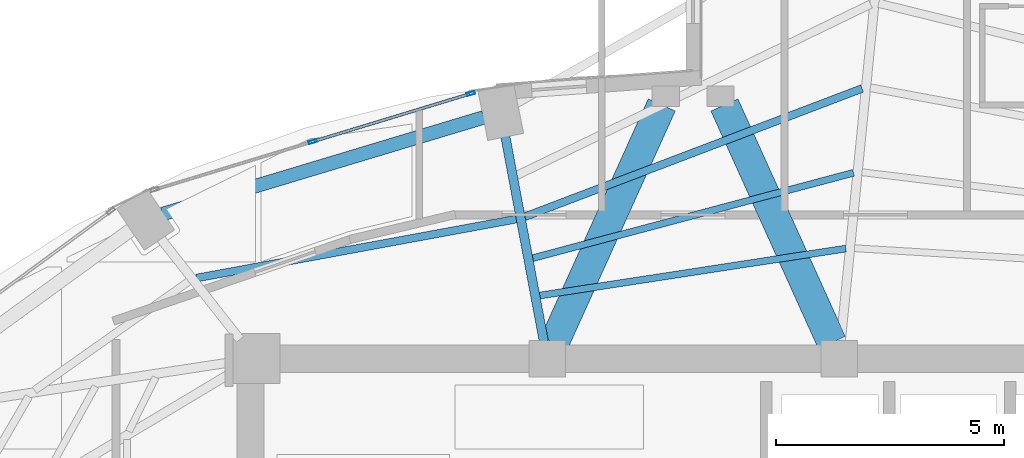
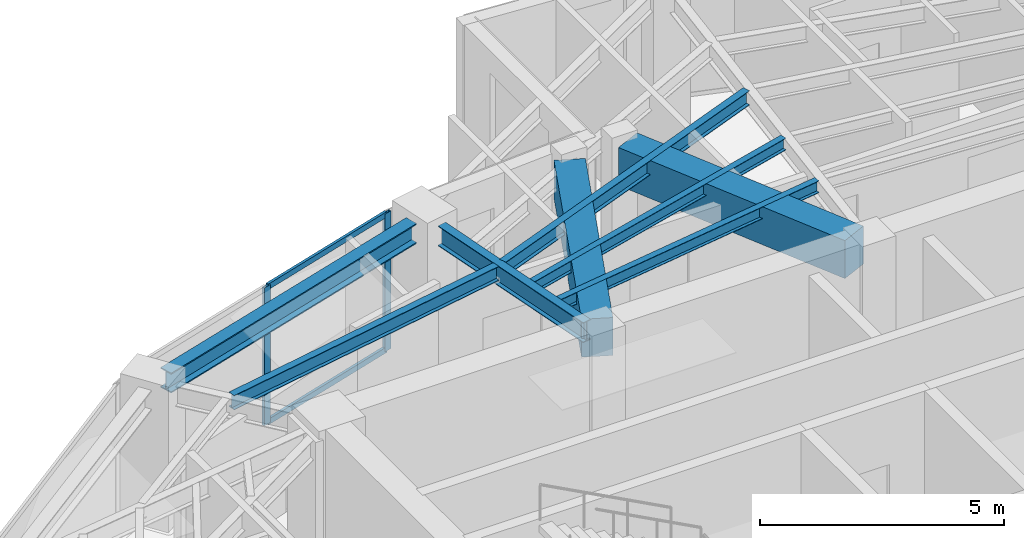
# One storey, part 11 of 23: 8 beams, 4 members, 1 element without a shape of its own.
"""IFC4 building model written with IfcOpenShell, lengths in metres."""

from ifc_helpers import new_model, si_unit, direction, frame, origin, origin_2d, place, context, subcontext, project, spatial, rectangle, hollow_rectangle, i_section, extrude, material, layer, layer_set, material_profile, profile_set, type_object, element, aggregate, save


model = new_model("IFC4")

# Units and contexts
model_context = context("Model", 3, precision=1e-05, world=origin(), true_north=direction((0.0, 1.0)))
body_context = subcontext(model_context, "Body", "Model", "MODEL_VIEW")
ifc_project = project(units=[si_unit("LENGTHUNIT", "METRE"), si_unit("AREAUNIT", "SQUARE_METRE"), si_unit("VOLUMEUNIT", "CUBIC_METRE"), si_unit("PLANEANGLEUNIT", "RADIAN"), si_unit("MASSUNIT", "GRAM", prefix="KILO")], contexts=[model_context])

# Site, building, storey
site_placement = place(None, origin())
site = spatial("IfcSite", under=ifc_project, at=site_placement, CompositionType="ELEMENT")
building_placement = place(site_placement, origin())
building = spatial("IfcBuilding", under=site, at=building_placement, Name="Lazwardi Medical Tower", CompositionType="ELEMENT")
storey_placement = place(building_placement, frame((0.0, 0.0, 194.83203125)))
storey = spatial("IfcBuildingStorey", under=building, at=storey_placement, Name="L50", CompositionType="ELEMENT", Elevation=194.83203125)

# Beams
ifc_material_1 = material(Name="Concrete C60/75", Category="concrete")
ifc_material_profile_1 = material_profile(ifc_material_1, rectangle(XDim=0.64990234375, YDim=0.949951171875, at=origin_2d()), Name="RC 650x950")
ifc_profile_set_1 = profile_set([ifc_material_profile_1], Name="Concrete C60/75")
beam_type_1 = type_object("IfcBeamType", Name="BM-CB-RC2", PredefinedType="LINTEL", material=ifc_profile_set_1)
for number, where, z_axis, x_axis, name in (
    (1, (32.95849609375, 35.95068359375, 2.972900390625), (0.412019279944, 0.911175127489, 0.0), (-0.911175127489, 0.412019279944, 0.0), "Core coupling lintel CB-02 PL1 L50"),
    (2, (39.04150390625, 35.95068359375, 2.972900390625), (-0.412019279944, 0.911175127489, 0.0), (-0.911175127489, -0.412019279944, 0.0), "Core coupling lintel CB-02 PL2 L50"),
):
    element("IfcBeam", number, at=place(storey_placement, frame(where, z_axis=z_axis, x_axis=x_axis)), inside=storey, type_object=beam_type_1, Name=name, PredefinedType="LINTEL", context=body_context, shape_type="SweptSolid", body=[
        extrude(rectangle(XDim=0.64990234375, YDim=0.949951171875, at=origin_2d()), origin(), (0.0, 0.0, 1.0), 5.7158203125),
    ])
ifc_material_2 = material(Name="Steel S355", Category="steel")
ifc_material_profile_2 = material_profile(ifc_material_2, i_section(OverallWidth=0.300048828125, OverallDepth=0.5, WebThickness=0.014404296875, FlangeThickness=0.028076171875, at=origin_2d()), Name="HEB 500")
ifc_profile_set_2 = profile_set([ifc_material_profile_2], Name="Steel S355")
beam_type_2 = type_object("IfcBeamType", Name="BM-RB-Z4", PredefinedType="BEAM", material=ifc_profile_set_2)
beam_1_placement = place(storey_placement, frame((31.41259765625, 40.885986328125, 3.197998046875), z_axis=(-0.957544311906, -0.288286126506, 0.0), x_axis=(0.288286126506, -0.957544311906, 0.0)))
element("IfcBeam", 3, at=beam_1_placement, inside=storey, type_object=beam_type_2, Name="Ring beam RB-05 B09 L50", PredefinedType="BEAM", context=body_context, shape_type="SweptSolid", body=[
    extrude(i_section(OverallWidth=0.300048828125, OverallDepth=0.5, WebThickness=0.014404296875, FlangeThickness=0.028076171875, at=origin_2d()), origin(), (0.0, 0.0, 1.0), 7.3515625),
])
ifc_material_profile_3 = material_profile(ifc_material_2, i_section(OverallWidth=0.199951171875, OverallDepth=0.5, WebThickness=0.01025390625, FlangeThickness=0.01611328125, at=origin_2d()), Name="IPE 500")
ifc_profile_set_3 = profile_set([ifc_material_profile_3], Name="Steel S355")
beam_type_3 = type_object("IfcBeamType", Name="BM-RG-W3", PredefinedType="BEAM", material=ifc_profile_set_3)
beam_2_placement = place(storey_placement, frame((31.884765625, 40.472412109375, 3.197998046875), z_axis=(0.184633463507, -0.982807450192, 0.0), x_axis=(0.982807450192, 0.184633463507, 0.0)))
element("IfcBeam", 4, at=beam_2_placement, inside=storey, type_object=beam_type_3, Name="Radial girder RG-04 R09 L50", PredefinedType="BEAM", context=body_context, shape_type="SweptSolid", body=[
    extrude(i_section(OverallWidth=0.199951171875, OverallDepth=0.5, WebThickness=0.01025390625, FlangeThickness=0.01611328125, at=origin_2d()), origin(), (0.0, 0.0, 1.0), 4.572509765625),
])
ifc_material_profile_4 = material_profile(ifc_material_2, i_section(OverallWidth=0.169921875, OverallDepth=0.360107421875, WebThickness=0.008056640625, FlangeThickness=0.0126953125, at=origin_2d()), Name="IPE 360")
ifc_profile_set_4 = profile_set([ifc_material_profile_4], Name="Steel S355")
beam_type_4 = type_object("IfcBeamType", Name="BM-SJ-02", PredefinedType="JOIST", material=ifc_profile_set_4)
beam_3_placement = place(storey_placement, frame((39.703125, 41.51904296875, 3.26806640625), z_axis=(-0.934714470268, -0.355399576633, 0.0), x_axis=(0.355399576633, -0.934714470268, 0.0)))
element("IfcBeam", 5, at=beam_3_placement, inside=storey, type_object=beam_type_4, Name="Secondary joist SJ-02 R2 B08 L50", PredefinedType="JOIST", context=body_context, shape_type="SweptSolid", body=[
    extrude(i_section(OverallWidth=0.169921875, OverallDepth=0.360107421875, WebThickness=0.008056640625, FlangeThickness=0.0126953125, at=origin_2d()), origin(), (0.0, 0.0, 1.0), 7.908203125),
])
beam_4_placement = place(storey_placement, frame((32.12890625, 38.65771484375, 3.26806640625), z_axis=(-0.983427965623, -0.181299300688, 0.0), x_axis=(0.181299300688, -0.983427965623, 0.0)))
element("IfcBeam", 6, at=beam_4_placement, inside=storey, type_object=beam_type_4, Name="Secondary joist SJ-02 R2 B09 L50", PredefinedType="JOIST", context=body_context, shape_type="SweptSolid", body=[
    extrude(i_section(OverallWidth=0.169921875, OverallDepth=0.360107421875, WebThickness=0.008056640625, FlangeThickness=0.0126953125, at=origin_2d()), origin(), (0.0, 0.0, 1.0), 7.127685546875),
])
ifc_material_profile_5 = material_profile(ifc_material_2, i_section(OverallWidth=0.14990234375, OverallDepth=0.300048828125, WebThickness=0.007080078125, FlangeThickness=0.0107421875, at=origin_2d()), Name="IPE 300")
ifc_profile_set_5 = profile_set([ifc_material_profile_5], Name="Steel S355")
beam_type_5 = type_object("IfcBeamType", Name="BM-SJ-03", PredefinedType="JOIST", material=ifc_profile_set_5)
beam_5_placement = place(storey_placement, frame((39.515380859375, 39.671875, 3.2978515625), z_axis=(-0.966369007826, -0.257159368316, 0.0), x_axis=(0.257159368316, -0.966369007826, 0.0)))
element("IfcBeam", 7, at=beam_5_placement, inside=storey, type_object=beam_type_5, Name="Secondary joist SJ-03 R3 B08 L50", PredefinedType="JOIST", context=body_context, shape_type="SweptSolid", body=[
    extrude(i_section(OverallWidth=0.14990234375, OverallDepth=0.300048828125, WebThickness=0.007080078125, FlangeThickness=0.0107421875, at=origin_2d()), origin(), (0.0, 0.0, 1.0), 7.27685546875),
])
beam_6_placement = place(storey_placement, frame((39.347412109375, 38.010986328125, 3.2978515625), z_axis=(-0.988433562862, -0.151654514629, 0.0), x_axis=(0.151654514629, -0.988433562862, 0.0)))
element("IfcBeam", 8, at=beam_6_placement, inside=storey, type_object=beam_type_5, Name="Secondary joist SJ-03 R4 B08 L50", PredefinedType="JOIST", context=body_context, shape_type="SweptSolid", body=[
    extrude(i_section(OverallWidth=0.14990234375, OverallDepth=0.300048828125, WebThickness=0.007080078125, FlangeThickness=0.0107421875, at=origin_2d()), origin(), (0.0, 0.0, 1.0), 6.788818359375),
])

# Curtain wall, members
ifc_material_3 = material(Name="Anodised bronze aluminium and solar control glazing", Category="aluminium")
ifc_layer = layer(ifc_material_3, 0.18994140625)
ifc_layer_set = layer_set([ifc_layer], Name="Anodised bronze aluminium and solar control glazing")
curtain_wall_type = type_object("IfcCurtainWallType", Name="CW-SYS-04", PredefinedType="NOTDEFINED", material=ifc_layer_set)
curtain_wall_placement = place(storey_placement, origin())
curtain_wall = element("IfcCurtainWall", 9, at=curtain_wall_placement, inside=storey, type_object=curtain_wall_type, Name="L50 Unitised bronze curtain wall CW-04", PredefinedType="NOTDEFINED")
ifc_material_4 = material(Name="Anodised bronze aluminium", Category="aluminium")
ifc_material_profile_6 = material_profile(ifc_material_4, hollow_rectangle(XDim=0.06494140625, YDim=0.179931640625, WallThickness=0.00390625, at=origin_2d()), Name="ALU-MULLION 180x65x4")
ifc_profile_set_6 = profile_set([ifc_material_profile_6], Name="Anodised bronze aluminium")
member_type_1 = type_object("IfcMemberType", Name="CW-MUL-03", PredefinedType="MULLION", material=ifc_profile_set_6)
member_1_placement = place(storey_placement, frame((31.126953125, 41.406982421875, 0.0), z_axis=(0.0, 0.0, 1.0), x_axis=(0.290581889515, -0.956850126972, 0.0)))
member_1 = element("IfcMember", 10, at=member_1_placement, type_object=member_type_1, Name="CW-04 mullion 1", PredefinedType="MULLION", context=body_context, shape_type="SweptSolid", body=[
    extrude(hollow_rectangle(XDim=0.06494140625, YDim=0.179931640625, WallThickness=0.00390625, at=origin_2d()), origin(), (0.0, 0.0, 1.0), 3.447998046875),
])
member_2_placement = place(storey_placement, frame((27.66357421875, 40.355224609375, 0.0), z_axis=(0.0, 0.0, 1.0), x_axis=(0.290581889515, -0.956850126972, 0.0)))
member_2 = element("IfcMember", 11, at=member_2_placement, type_object=member_type_1, Name="CW-04 mullion 2", PredefinedType="MULLION", context=body_context, shape_type="SweptSolid", body=[
    extrude(hollow_rectangle(XDim=0.06494140625, YDim=0.179931640625, WallThickness=0.00390625, at=origin_2d()), origin(), (0.0, 0.0, 1.0), 3.447998046875),
])
ifc_material_profile_7 = material_profile(ifc_material_4, hollow_rectangle(XDim=0.06494140625, YDim=0.139892578125, WallThickness=0.00341796875, at=origin_2d()), Name="ALU-TRANSOM 140x65x3.5")
ifc_profile_set_7 = profile_set([ifc_material_profile_7], Name="Anodised bronze aluminium")
member_type_2 = type_object("IfcMemberType", Name="CW-TRN-03", PredefinedType="USERDEFINED", material=ifc_profile_set_7)
member_3_placement = place(storey_placement, frame((31.095703125, 41.397705078125, 0.032470703125), z_axis=(-0.956843409009, -0.290604010015, 0.0), x_axis=(0.290604010015, -0.956843409009, 0.0)))
member_3 = element("IfcMember", 12, at=member_3_placement, type_object=member_type_2, Name="CW-04 transom 1.1", ObjectType="TRANSOM", PredefinedType="USERDEFINED", context=body_context, shape_type="SweptSolid", body=[
    extrude(hollow_rectangle(XDim=0.06494140625, YDim=0.139892578125, WallThickness=0.00341796875, at=origin_2d()), origin(), (0.0, 0.0, 1.0), 3.554443359375),
])
member_4_placement = place(storey_placement, frame((31.095703125, 41.397705078125, 3.41552734375), z_axis=(-0.956843409009, -0.290604010015, 0.0), x_axis=(0.290604010015, -0.956843409009, 0.0)))
member_4 = element("IfcMember", 13, at=member_4_placement, type_object=member_type_2, Name="CW-04 transom 1.2", ObjectType="TRANSOM", PredefinedType="USERDEFINED", context=body_context, shape_type="SweptSolid", body=[
    extrude(hollow_rectangle(XDim=0.06494140625, YDim=0.139892578125, WallThickness=0.00341796875, at=origin_2d()), origin(), (0.0, 0.0, 1.0), 3.554443359375),
])
aggregate(curtain_wall, [member_1, member_2, member_3, member_4])

save(model, "model.ifc")
